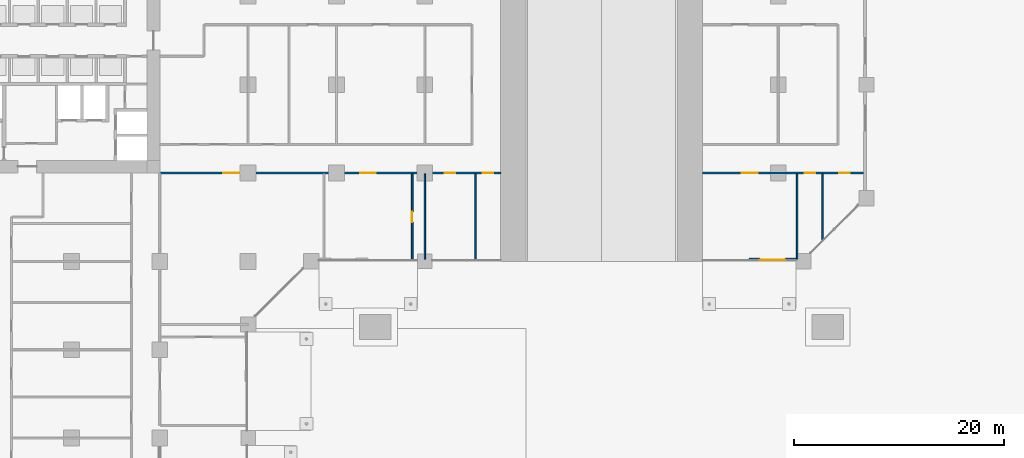
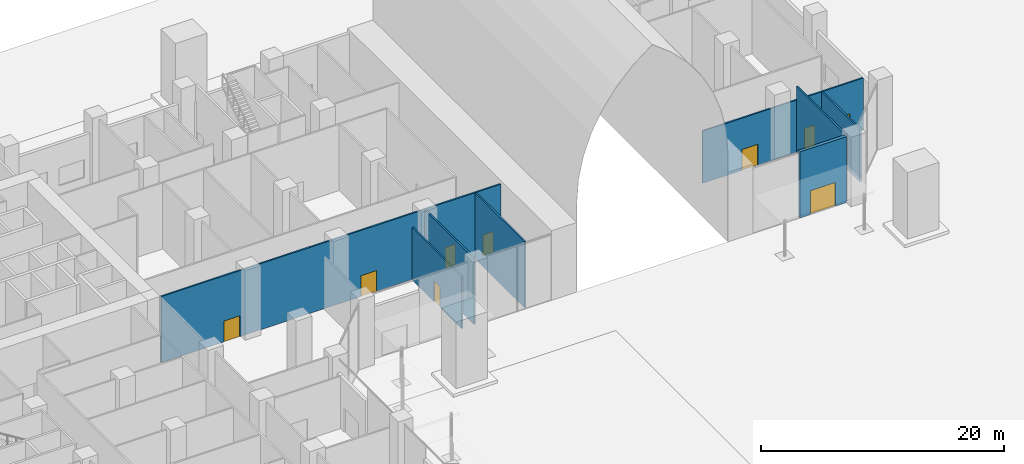
# One storey, part 17 of 32: 9 doors, 8 walls, 9 openings.
"""IFC4 building model written with IfcOpenShell, lengths in metres."""

from ifc_helpers import new_model, si_unit, direction, frame, frame_2d, origin, place, context, subcontext, project, spatial, rectangle, extrude, material, layer, layer_set, type_object, element, fill, save


model = new_model("IFC4")

# Units and contexts
model_context = context("Model", 3, precision=1e-05, world=origin(), true_north=direction((0.0, 1.0)))
body_context = subcontext(model_context, "Body", "Model", "MODEL_VIEW")
ifc_project = project(units=[si_unit("LENGTHUNIT", "METRE"), si_unit("AREAUNIT", "SQUARE_METRE"), si_unit("VOLUMEUNIT", "CUBIC_METRE"), si_unit("PLANEANGLEUNIT", "RADIAN"), si_unit("MASSUNIT", "GRAM", prefix="KILO")], contexts=[model_context])

# Site, building, storey
site_placement = place(None, origin())
site = spatial("IfcSite", under=ifc_project, at=site_placement, CompositionType="ELEMENT")
building_placement = place(site_placement, origin())
building = spatial("IfcBuilding", under=site, at=building_placement, Name="Kawkab Arch Medical Tower", CompositionType="ELEMENT")
storey_placement = place(building_placement, origin())
storey = spatial("IfcBuildingStorey", under=building, at=storey_placement, Name="L01", CompositionType="ELEMENT", Elevation=0.0)

# Wall, openings, doors
ifc_material_1 = material(Name="Gypsum board partition on steel studs, mineral wool", Category="steel")
ifc_layer_1 = layer(ifc_material_1, 0.14990234375)
ifc_layer_set_1 = layer_set([ifc_layer_1], Name="Gypsum board partition on steel studs, mineral wool")
wall_type_1 = type_object("IfcWallType", Name="Partition 150", PredefinedType="PARTITIONING", material=ifc_layer_set_1)
wall_1_placement = place(storey_placement, frame((25.27490234375, -25.199951171875, 0.0), z_axis=(0.0, 0.0, 1.0), x_axis=(1.0, 0.0, 0.0)))
wall_1 = element("IfcWall", 1, at=wall_1_placement, inside=storey, type_object=wall_type_1, Name="Partition 150 w028", PredefinedType="PARTITIONING", context=body_context, shape_type="SweptSolid", body=[
    extrude(rectangle(XDim=32.3251953125, YDim=0.14990234375, at=frame_2d((16.16259765625, 0.0))), origin(), (0.0, 0.0, 1.0), 6.64990234375),
])
opening_1_placement = place(wall_1_placement, frame((18.97509765625, 0.0, 0.0)))
opening_1 = element("IfcOpeningElement", 2, at=opening_1_placement, cuts=wall_1, Name="Opening P01-001", PredefinedType="OPENING", context=body_context, shape_type="SweptSolid", body=[
    extrude(rectangle(XDim=1.5, YDim=2.10009765625, at=frame_2d((0.75, 1.050048828125))), frame((0.0, 0.0849609375, 0.0), z_axis=(0.0, -1.0, 0.0), x_axis=(1.0, 0.0, 0.0)), (0.0, 0.0, 1.0), 0.169921875),
])
opening_2_placement = place(wall_1_placement, frame((5.97509765625, 0.0, 0.0)))
opening_2 = element("IfcOpeningElement", 3, at=opening_2_placement, cuts=wall_1, Name="Opening P01-013", PredefinedType="OPENING", context=body_context, shape_type="SweptSolid", body=[
    extrude(rectangle(XDim=1.5, YDim=2.10009765625, at=frame_2d((0.75, 1.050048828125))), frame((0.0, 0.0849609375, 0.0), z_axis=(0.0, -1.0, 0.0), x_axis=(1.0, 0.0, 0.0)), (0.0, 0.0, 1.0), 0.169921875),
])
opening_3_placement = place(wall_1_placement, frame((27.02490234375, 0.0, 0.0)))
opening_3 = element("IfcOpeningElement", 4, at=opening_3_placement, cuts=wall_1, Name="Opening P01-020", PredefinedType="OPENING", context=body_context, shape_type="SweptSolid", body=[
    extrude(rectangle(XDim=1.0, YDim=2.10009765625, at=frame_2d((0.5, 1.050048828125))), frame((0.0, 0.0849609375, 0.0), z_axis=(0.0, -1.0, 0.0), x_axis=(1.0, 0.0, 0.0)), (0.0, 0.0, 1.0), 0.169921875),
])
opening_4_placement = place(wall_1_placement, frame((30.625, 0.0, 0.0)))
opening_4 = element("IfcOpeningElement", 5, at=opening_4_placement, cuts=wall_1, Name="Opening P01-021", PredefinedType="OPENING", context=body_context, shape_type="SweptSolid", body=[
    extrude(rectangle(XDim=1.0, YDim=2.10009765625, at=frame_2d((0.5, 1.050048828125))), frame((0.0, 0.0849609375, 0.0), z_axis=(0.0, -1.0, 0.0), x_axis=(1.0, 0.0, 0.0)), (0.0, 0.0, 1.0), 0.169921875),
])
ifc_material_2 = material(Name="Hollow metal door leaf")
door_type_1 = type_object("IfcDoorType", Name="Double door 1500x2100 FD30S", OperationType="NOTDEFINED", PredefinedType="DOOR", material=ifc_material_2)
door_1_placement = place(opening_1_placement, origin())
door_1 = element("IfcDoor", 6, at=door_1_placement, inside=storey, type_object=door_type_1, Name="Door P01-001", OperationType="DOUBLE_DOOR_SINGLE_SWING", OverallHeight=2.10009765625, OverallWidth=1.5, PredefinedType="DOOR", context=body_context, shape_type="SweptSolid", body=[
    extrude(rectangle(XDim=1.5, YDim=2.10009765625, at=frame_2d((0.75, 1.050048828125))), frame((0.0, 0.02490234375, 0.0), z_axis=(0.0, -1.0, 0.0), x_axis=(1.0, 0.0, 0.0)), (0.0, 0.0, 1.0), 0.050048828125),
])
fill(opening_1, door_1)
door_2_placement = place(opening_2_placement, origin())
door_2 = element("IfcDoor", 7, at=door_2_placement, inside=storey, type_object=door_type_1, Name="Door P01-013", OperationType="DOUBLE_DOOR_SINGLE_SWING", OverallHeight=2.10009765625, OverallWidth=1.5, PredefinedType="DOOR", context=body_context, shape_type="SweptSolid", body=[
    extrude(rectangle(XDim=1.5, YDim=2.10009765625, at=frame_2d((0.75, 1.050048828125))), frame((0.0, 0.02490234375, 0.0), z_axis=(0.0, -1.0, 0.0), x_axis=(1.0, 0.0, 0.0)), (0.0, 0.0, 1.0), 0.050048828125),
])
fill(opening_2, door_2)
ifc_material_3 = material(Name="Hollow metal door leaf")
door_type_2 = type_object("IfcDoorType", Name="Single door 1000x2100 FD30S", OperationType="NOTDEFINED", PredefinedType="DOOR", material=ifc_material_3)
door_3_placement = place(opening_3_placement, origin())
door_3 = element("IfcDoor", 8, at=door_3_placement, inside=storey, type_object=door_type_2, Name="Door P01-020", OperationType="SINGLE_SWING_LEFT", OverallHeight=2.10009765625, OverallWidth=1.0, PredefinedType="DOOR", context=body_context, shape_type="SweptSolid", body=[
    extrude(rectangle(XDim=1.0, YDim=2.10009765625, at=frame_2d((0.5, 1.050048828125))), frame((0.0, 0.02490234375, 0.0), z_axis=(0.0, -1.0, 0.0), x_axis=(1.0, 0.0, 0.0)), (0.0, 0.0, 1.0), 0.050048828125),
])
fill(opening_3, door_3)
door_4_placement = place(opening_4_placement, origin())
door_4 = element("IfcDoor", 9, at=door_4_placement, inside=storey, type_object=door_type_2, Name="Door P01-021", OperationType="SINGLE_SWING_LEFT", OverallHeight=2.10009765625, OverallWidth=1.0, PredefinedType="DOOR", context=body_context, shape_type="SweptSolid", body=[
    extrude(rectangle(XDim=1.0, YDim=2.10009765625, at=frame_2d((0.5, 1.050048828125))), frame((0.0, 0.02490234375, 0.0), z_axis=(0.0, -1.0, 0.0), x_axis=(1.0, 0.0, 0.0)), (0.0, 0.0, 1.0), 0.050048828125),
])
fill(opening_4, door_4)

wall_2_placement = place(storey_placement, frame((76.800048828125, -25.199951171875, 0.0), z_axis=(0.0, 0.0, 1.0), x_axis=(1.0, 0.0, 0.0)))
wall_2 = element("IfcWall", 10, at=wall_2_placement, inside=storey, type_object=wall_type_1, Name="Partition 150 w029", PredefinedType="PARTITIONING", context=body_context, shape_type="SweptSolid", body=[
    extrude(rectangle(XDim=15.300048828125, YDim=0.14990234375, at=frame_2d((7.64990234375, 0.0))), origin(), (0.0, 0.0, 1.0), 5.25),
])
opening_5_placement = place(wall_2_placement, frame((3.75, 0.0, 0.0)))
opening_5 = element("IfcOpeningElement", 11, at=opening_5_placement, cuts=wall_2, Name="Opening P01-002", PredefinedType="OPENING", context=body_context, shape_type="SweptSolid", body=[
    extrude(rectangle(XDim=1.5, YDim=2.10009765625, at=frame_2d((0.75, 1.050048828125))), frame((0.0, 0.0849609375, 0.0), z_axis=(0.0, -1.0, 0.0), x_axis=(1.0, 0.0, 0.0)), (0.0, 0.0, 1.0), 0.169921875),
])
opening_6_placement = place(wall_2_placement, frame((9.699951171875, 0.0, 0.0)))
opening_6 = element("IfcOpeningElement", 12, at=opening_6_placement, cuts=wall_2, Name="Opening P01-022", PredefinedType="OPENING", context=body_context, shape_type="SweptSolid", body=[
    extrude(rectangle(XDim=1.0, YDim=2.10009765625, at=frame_2d((0.5, 1.050048828125))), frame((0.0, 0.0849609375, 0.0), z_axis=(0.0, -1.0, 0.0), x_axis=(1.0, 0.0, 0.0)), (0.0, 0.0, 1.0), 0.169921875),
])
opening_7_placement = place(wall_2_placement, frame((13.0, 0.0, 0.0)))
opening_7 = element("IfcOpeningElement", 13, at=opening_7_placement, cuts=wall_2, Name="Opening P01-023", PredefinedType="OPENING", context=body_context, shape_type="SweptSolid", body=[
    extrude(rectangle(XDim=1.0, YDim=2.10009765625, at=frame_2d((0.5, 1.050048828125))), frame((0.0, 0.0849609375, 0.0), z_axis=(0.0, -1.0, 0.0), x_axis=(1.0, 0.0, 0.0)), (0.0, 0.0, 1.0), 0.169921875),
])
door_5_placement = place(opening_5_placement, origin())
door_5 = element("IfcDoor", 14, at=door_5_placement, inside=storey, type_object=door_type_1, Name="Door P01-002", OperationType="DOUBLE_DOOR_SINGLE_SWING", OverallHeight=2.10009765625, OverallWidth=1.5, PredefinedType="DOOR", context=body_context, shape_type="SweptSolid", body=[
    extrude(rectangle(XDim=1.5, YDim=2.10009765625, at=frame_2d((0.75, 1.050048828125))), frame((0.0, 0.02490234375, 0.0), z_axis=(0.0, -1.0, 0.0), x_axis=(1.0, 0.0, 0.0)), (0.0, 0.0, 1.0), 0.050048828125),
])
fill(opening_5, door_5)
door_6_placement = place(opening_6_placement, origin())
door_6 = element("IfcDoor", 15, at=door_6_placement, inside=storey, type_object=door_type_2, Name="Door P01-022", OperationType="SINGLE_SWING_LEFT", OverallHeight=2.10009765625, OverallWidth=1.0, PredefinedType="DOOR", context=body_context, shape_type="SweptSolid", body=[
    extrude(rectangle(XDim=1.0, YDim=2.10009765625, at=frame_2d((0.5, 1.050048828125))), frame((0.0, 0.02490234375, 0.0), z_axis=(0.0, -1.0, 0.0), x_axis=(1.0, 0.0, 0.0)), (0.0, 0.0, 1.0), 0.050048828125),
])
fill(opening_6, door_6)
door_7_placement = place(opening_7_placement, origin())
door_7 = element("IfcDoor", 16, at=door_7_placement, inside=storey, type_object=door_type_2, Name="Door P01-023", OperationType="SINGLE_SWING_LEFT", OverallHeight=2.10009765625, OverallWidth=1.0, PredefinedType="DOOR", context=body_context, shape_type="SweptSolid", body=[
    extrude(rectangle(XDim=1.0, YDim=2.10009765625, at=frame_2d((0.5, 1.050048828125))), frame((0.0, 0.02490234375, 0.0), z_axis=(0.0, -1.0, 0.0), x_axis=(1.0, 0.0, 0.0)), (0.0, 0.0, 1.0), 0.050048828125),
])
fill(opening_7, door_7)

# Wall, opening, door
wall_3_placement = place(storey_placement, frame((49.199951171875, -33.419921875, 0.0), z_axis=(0.0, 0.0, 1.0), x_axis=(0.0, 1.0, 0.0)))
wall_3 = element("IfcWall", 17, at=wall_3_placement, inside=storey, type_object=wall_type_1, Name="Partition 150 w060", PredefinedType="PARTITIONING", context=body_context, shape_type="SweptSolid", body=[
    extrude(rectangle(XDim=8.14501953125, YDim=0.14990234375, at=frame_2d((4.072509765625, 0.0))), origin(), (0.0, 0.0, 1.0), 5.25),
])
opening_8_placement = place(wall_3_placement, frame((3.52001953125, 0.0, 0.0)))
opening_8 = element("IfcOpeningElement", 18, at=opening_8_placement, cuts=wall_3, Name="Opening P01-019", PredefinedType="OPENING", context=body_context, shape_type="SweptSolid", body=[
    extrude(rectangle(XDim=1.0, YDim=2.10009765625, at=frame_2d((0.5, 1.050048828125))), frame((0.0, 0.0849609375, 0.0), z_axis=(0.0, -1.0, 0.0), x_axis=(1.0, 0.0, 0.0)), (0.0, 0.0, 1.0), 0.169921875),
])
door_8_placement = place(opening_8_placement, origin())
door_8 = element("IfcDoor", 19, at=door_8_placement, inside=storey, type_object=door_type_2, Name="Door P01-019", OperationType="SINGLE_SWING_RIGHT", OverallHeight=2.10009765625, OverallWidth=1.0, PredefinedType="DOOR", context=body_context, shape_type="SweptSolid", body=[
    extrude(rectangle(XDim=1.0, YDim=2.10009765625, at=frame_2d((0.5, 1.050048828125))), frame((0.0, 0.02490234375, 0.0), z_axis=(0.0, -1.0, 0.0), x_axis=(1.0, 0.0, 0.0)), (0.0, 0.0, 1.0), 0.050048828125),
])
fill(opening_8, door_8)

# Walls
for number, where, z_axis, x_axis, name in (
    (20, (50.39990234375, -33.419921875, 0.0), (0.0, 0.0, 1.0), (0.0, 1.0, 0.0), "Partition 150 w061"),
    (21, (55.199951171875, -33.419921875, 0.0), (0.0, 0.0, 1.0), (0.0, 1.0, 0.0), "Partition 150 w066"),
    (22, (85.800048828125, -33.419921875, 0.0), (0.0, 0.0, 1.0), (0.0, 1.0, 0.0), "Partition 150 w068"),
):
    element("IfcWall", number, at=place(storey_placement, frame(where, z_axis=z_axis, x_axis=x_axis)), inside=storey, type_object=wall_type_1, Name=name, PredefinedType="PARTITIONING", context=body_context, shape_type="SweptSolid", body=[
        extrude(rectangle(XDim=8.14501953125, YDim=0.14990234375, at=frame_2d((4.072509765625, 0.0))), origin(), (0.0, 0.0, 1.0), 6.64990234375),
    ])
wall_4_placement = place(storey_placement, frame((88.199951171875, -31.544921875, 0.0), z_axis=(0.0, 0.0, 1.0), x_axis=(0.0, 1.0, 0.0)))
element("IfcWall", 23, at=wall_4_placement, inside=storey, type_object=wall_type_1, Name="Partition 150 w069", PredefinedType="PARTITIONING", context=body_context, shape_type="SweptSolid", body=[
    extrude(rectangle(XDim=6.27001953125, YDim=0.14990234375, at=frame_2d((3.135009765625, 0.0))), origin(), (0.0, 0.0, 1.0), 5.25),
])

# Wall, opening, door
ifc_material_4 = material(Name="Bronze clad insulated wall panel")
ifc_layer_2 = layer(ifc_material_4, 0.300048828125)
ifc_layer_set_2 = layer_set([ifc_layer_2], Name="Bronze clad insulated wall panel")
wall_type_2 = type_object("IfcWallType", Name="Podium external wall 300", PredefinedType="SOLIDWALL", material=ifc_layer_set_2)
wall_5_placement = place(storey_placement, frame((81.237548828125, -33.449951171875, 0.0), z_axis=(0.0, 0.0, 1.0), x_axis=(1.0, 0.0, 0.0)))
wall_5 = element("IfcWall", 24, at=wall_5_placement, inside=storey, type_object=wall_type_2, Name="Entrance wall L01 R19.1.2", PredefinedType="SOLIDWALL", context=body_context, shape_type="SweptSolid", body=[
    extrude(rectangle(XDim=4.4375, YDim=0.300048828125, at=frame_2d((2.21875, 0.0))), origin(), (0.0, 0.0, 1.0), 6.64990234375),
])
opening_9_placement = place(wall_5_placement, frame((1.018798828125, 0.0, 0.0)))
opening_9 = element("IfcOpeningElement", 25, at=opening_9_placement, cuts=wall_5, Name="Opening P01-515", PredefinedType="OPENING", context=body_context, shape_type="SweptSolid", body=[
    extrude(rectangle(XDim=2.39990234375, YDim=2.39990234375, at=frame_2d((1.199951171875, 1.199951171875))), frame((0.0, 0.159912109375, 0.0), z_axis=(0.0, -1.0, 0.0), x_axis=(1.0, 0.0, 0.0)), (0.0, 0.0, 1.0), 0.320068359375),
])
ifc_material_5 = material(Name="Bronze anodised aluminium door with tinted glass", Category="aluminium")
door_type_3 = type_object("IfcDoorType", Name="Automatic sliding entrance door 2400 x 2400", OperationType="DOUBLE_DOOR_SLIDING", PredefinedType="DOOR", material=ifc_material_5)
door_9_placement = place(opening_9_placement, origin())
door_9 = element("IfcDoor", 26, at=door_9_placement, inside=storey, type_object=door_type_3, Name="Main entrance, pavilion", OperationType="DOUBLE_DOOR_SLIDING", OverallHeight=2.39990234375, OverallWidth=2.39990234375, PredefinedType="DOOR", context=body_context, shape_type="SweptSolid", body=[
    extrude(rectangle(XDim=2.39990234375, YDim=2.39990234375, at=frame_2d((1.199951171875, 1.199951171875))), frame((0.0, 0.02490234375, 0.0), z_axis=(0.0, -1.0, 0.0), x_axis=(1.0, 0.0, 0.0)), (0.0, 0.0, 1.0), 0.050048828125),
])
fill(opening_9, door_9)

save(model, "model.ifc")
